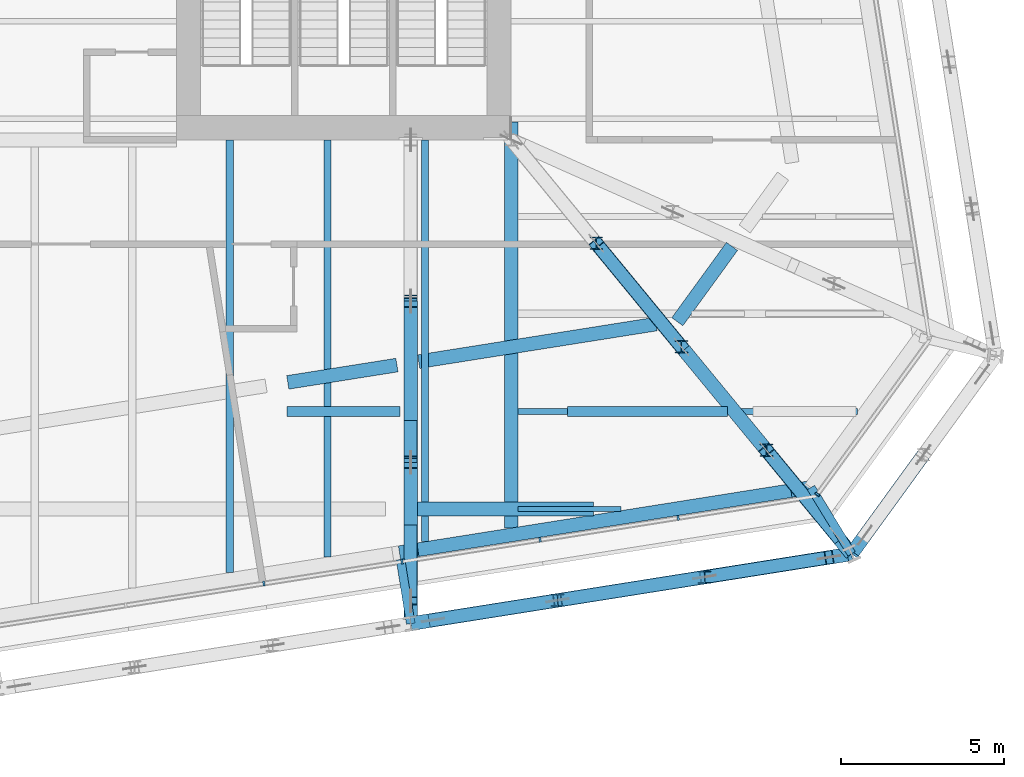
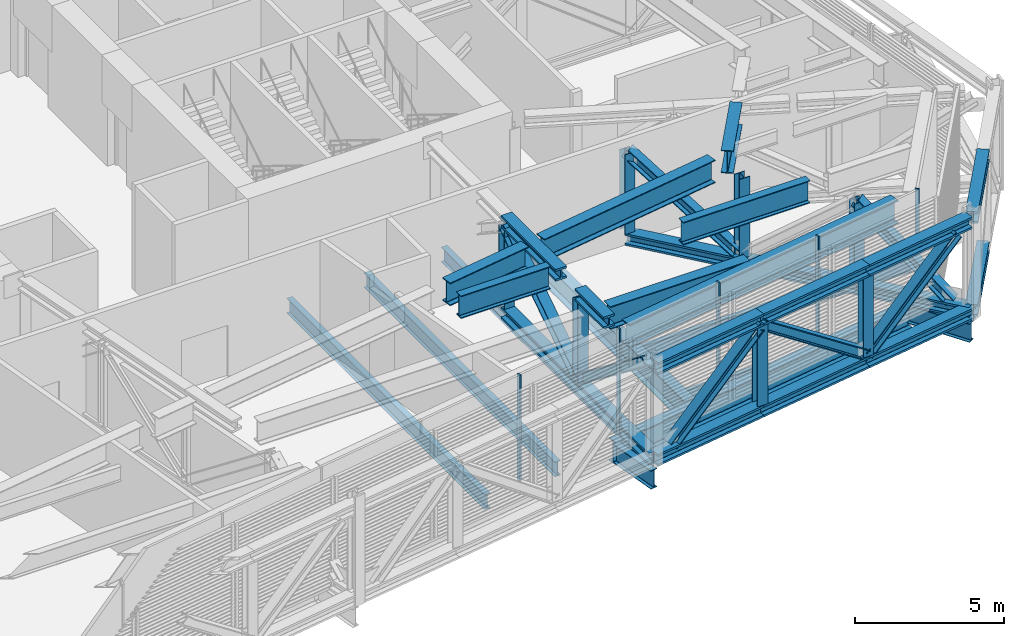
# One storey, part 8 of 31: 31 beams, 19 members, 2 elements without a shape of their own.
"""IFC4 building model written with IfcOpenShell, lengths in metres."""

import ifcopenshell
import ifcopenshell.guid

model = None  # the IFC model being written
_history = None  # IfcOwnerHistory: only IFC2X3 demands one
_inside = {}  # id of a spatial element -> (the spatial element, [elements in it])
_under = {}  # id of a project, library or spatial element -> (it, [spatial elements below it])
_declared = {}  # id of a project -> (the project, [libraries it declares])
_typed = {}  # id of a type object -> (the type object, [elements of that type])
_made_of = {}  # id of a material, layer set ... -> (it, [elements and type objects made of it])


def new_model(schema):
    """Start an empty IFC model of exactly this schema.

    Asked for "IFC4X3", IfcOpenShell would pick the latest addendum, in which some entities
    have other attributes; the version numbers below select the first issue.
    IFC2X3 requires an IfcOwnerHistory on every rooted entity: one is made here for all.
    """
    global model, _history
    if schema == "IFC4X3":
        model = ifcopenshell.file(schema_version=(4, 3, 0, 0))
    else:
        model = ifcopenshell.file(schema=schema)
    _inside.clear()
    _under.clear()
    _declared.clear()
    _typed.clear()
    _made_of.clear()
    _history = None
    if model.schema == "IFC2X3":
        org = make("IfcOrganization", Name="unknown")
        user = make(
            "IfcPersonAndOrganization",
            ThePerson=make("IfcPerson", FamilyName="unknown"),
            TheOrganization=org,
        )
        app = make(
            "IfcApplication",
            ApplicationDeveloper=org,
            Version="unknown",
            ApplicationFullName="unknown",
            ApplicationIdentifier="unknown",
        )
        _history = make(
            "IfcOwnerHistory",
            OwningUser=user,
            OwningApplication=app,
            ChangeAction="ADDED",
            CreationDate=0,
        )
    return model


def make(cls, **values):
    """One entity of the class cls with the attributes given. An attribute that is None is left unset."""
    return model.create_entity(
        cls, **{name: value for name, value in values.items() if value is not None}
    )


def rooted(cls, **values):
    """An entity with a GlobalId (a new one), such as an element, a storey or a relation."""
    return make(cls, GlobalId=ifcopenshell.guid.new(), OwnerHistory=_history, **values)


def si_unit(unit_type, name, prefix=None):
    """IfcSIUnit, for example si_unit("LENGTHUNIT", "METRE", prefix="MILLI")."""
    return make("IfcSIUnit", UnitType=unit_type, Prefix=prefix, Name=name)


def assignment(units):
    """IfcUnitAssignment: the units of a project."""
    return None if units is None else make("IfcUnitAssignment", Units=units)


def point(xyz):
    """IfcCartesianPoint."""
    return None if xyz is None else make("IfcCartesianPoint", Coordinates=xyz)


def direction(xyz):
    """IfcDirection."""
    return None if xyz is None else make("IfcDirection", DirectionRatios=xyz)


def frame(location, z_axis=None, x_axis=None):
    """IfcAxis2Placement3D, a coordinate frame: its origin and axes. An axis left out is left unset."""
    return make(
        "IfcAxis2Placement3D",
        Location=point(location),
        Axis=direction(z_axis),
        RefDirection=direction(x_axis),
    )


def frame_2d(location, x_axis=None):
    """IfcAxis2Placement2D, a coordinate frame in the plane: its origin and x axis."""
    return make(
        "IfcAxis2Placement2D", Location=point(location), RefDirection=direction(x_axis)
    )


def origin():
    """The frame at (0, 0, 0) with its axes left unset."""
    return frame((0.0, 0.0, 0.0))


def origin_2d():
    """The frame at (0, 0) in the plane with its x axis left unset."""
    return frame_2d((0.0, 0.0))


def place(relative_to, where):
    """IfcLocalPlacement: puts the frame where relative to a parent placement (None: the world)."""
    return make(
        "IfcLocalPlacement", PlacementRelTo=relative_to, RelativePlacement=where
    )


def context(
    kind, dimensions, precision=None, world=None, true_north=None, identifier=None
):
    """IfcGeometricRepresentationContext, for example the 3D "Model" context."""
    return make(
        "IfcGeometricRepresentationContext",
        ContextIdentifier=identifier,
        ContextType=kind,
        CoordinateSpaceDimension=dimensions,
        Precision=precision,
        WorldCoordinateSystem=world,
        TrueNorth=true_north,
    )


def subcontext(parent, identifier, kind, view, scale=None):
    """IfcGeometricRepresentationSubContext, for example "Body" below "Model"."""
    return make(
        "IfcGeometricRepresentationSubContext",
        ContextIdentifier=identifier,
        ContextType=kind,
        ParentContext=parent,
        TargetScale=scale,
        TargetView=view,
    )


def project(units=None, contexts=None):
    """IfcProject with its units and contexts."""
    return rooted(
        "IfcProject",
        Name="project",
        RepresentationContexts=contexts,
        UnitsInContext=assignment(units),
    )


def spatial(cls, under=None, at=None, **own):
    """A site, building, storey or space (cls), placed at a placement, below another one or the project."""
    s = rooted(cls, ObjectPlacement=at, **own)
    if under is not None:
        _under.setdefault(under.id(), (under, []))[1].append(s)
    return s


def profile(cls, at=None, kind="AREA", **sizes):
    """A parametric profile (cls). Its sizes go by their IFC names, for example OverallWidth=200.0."""
    return make(cls, ProfileType=kind, Position=at, **sizes)


def rectangle(**sizes):
    """IfcRectangleProfileDef."""
    return profile("IfcRectangleProfileDef", **sizes)


def i_section(**sizes):
    """IfcIShapeProfileDef."""
    return profile("IfcIShapeProfileDef", **sizes)


def extrude(swept, where, along, depth):
    """IfcExtrudedAreaSolid: the profile swept, set in the frame where, extruded along a direction by depth."""
    return make(
        "IfcExtrudedAreaSolid",
        SweptArea=swept,
        Position=where,
        ExtrudedDirection=direction(along),
        Depth=depth,
    )


def shape(context_of_items, identifier, shape_type, items):
    """IfcShapeRepresentation: the items that make up one representation, for example the "Body"."""
    return make(
        "IfcShapeRepresentation",
        ContextOfItems=context_of_items,
        RepresentationIdentifier=identifier,
        RepresentationType=shape_type,
        Items=items,
    )


def material(Name=None, Category=None):
    """IfcMaterial."""
    return make("IfcMaterial", Name=Name, Category=Category)


def layer(
    of_material, thickness, ventilated=None, Name=None, Category=None, Priority=None
):
    """IfcMaterialLayer: one layer of a wall or slab, of a material (None: an air gap)."""
    return make(
        "IfcMaterialLayer",
        Material=of_material,
        LayerThickness=thickness,
        IsVentilated=ventilated,
        Name=Name,
        Category=Category,
        Priority=Priority,
    )


def layer_set(layers, Name=None):
    """IfcMaterialLayerSet."""
    return make("IfcMaterialLayerSet", MaterialLayers=layers, LayerSetName=Name)


def material_profile(
    of_material, cross_section, Name=None, Category=None, Priority=None
):
    """IfcMaterialProfile: a cross section and its material."""
    return make(
        "IfcMaterialProfile",
        Name=Name,
        Material=of_material,
        Profile=cross_section,
        Priority=Priority,
        Category=Category,
    )


def profile_set(profiles, Name=None, composite=None):
    """IfcMaterialProfileSet."""
    return make(
        "IfcMaterialProfileSet",
        Name=Name,
        MaterialProfiles=profiles,
        CompositeProfile=composite,
    )


def made_of(thing, what):
    """Note that an element or type object is made of a material, layer set ...; save() writes the relation."""
    if what is not None:
        _made_of.setdefault(what.id(), (what, []))[1].append(thing)
    return thing


def type_object(cls, material=None, **own):
    """A type object (cls), such as IfcWallType, which elements share."""
    return made_of(rooted(cls, **own), material)


def element(
    cls,
    number,
    at=None,
    inside=None,
    cuts=None,
    type_object=None,
    material=None,
    context=None,
    identifier="Body",
    shape_type=None,
    held_by="IfcProductDefinitionShape",
    body=None,
    shapes=None,
    **own,
):
    """One element of the class cls, such as IfcWall. Its Tag is "e" and its number.

    at: its placement. inside: the storey or other place that contains it. cuts: it is an
    opening in that element (IfcRelVoidsElement). A single representation is given by context,
    identifier, shape_type and body (its items); several are given by shapes. held_by: the class
    of the entity that holds the representations. save() writes the other relations.
    """
    e = rooted(cls, Tag="e%d" % number, ObjectPlacement=at, **own)
    if body is not None:
        shapes = [shape(context, identifier, shape_type, body)]
    if shapes is not None:
        e.Representation = make(held_by, Representations=shapes)
    if inside is not None:
        _inside.setdefault(inside.id(), (inside, []))[1].append(e)
    if cuts is not None:
        rooted(
            "IfcRelVoidsElement", RelatingBuildingElement=cuts, RelatedOpeningElement=e
        )
    if type_object is not None:
        _typed.setdefault(type_object.id(), (type_object, []))[1].append(e)
    return made_of(e, material)


def aggregate(whole, parts):
    """IfcRelAggregates: a whole, such as a stair, and the parts it consists of."""
    return rooted("IfcRelAggregates", RelatingObject=whole, RelatedObjects=parts)


def save(model, path):
    """Write the relations noted so far, then the file.

    IfcRelAggregates (storeys below a building ...), IfcRelContainedInSpatialStructure (elements
    in a storey), IfcRelDefinesByType, IfcRelAssociatesMaterial and IfcRelDeclares: one each for
    every whole, place, type object, material and project.
    """
    for whole, parts in _under.values():
        aggregate(whole, parts)
    for where, things in _inside.values():
        rooted(
            "IfcRelContainedInSpatialStructure",
            RelatedElements=things,
            RelatingStructure=where,
        )
    for kind, things in _typed.values():
        rooted("IfcRelDefinesByType", RelatedObjects=things, RelatingType=kind)
    for what, things in _made_of.values():
        rooted("IfcRelAssociatesMaterial", RelatedObjects=things, RelatingMaterial=what)
    for by, libraries in _declared.values():
        rooted("IfcRelDeclares", RelatingContext=by, RelatedDefinitions=libraries)
    model.write(path)


model = new_model("IFC4")

# Units and contexts
model_context = context("Model", 3, precision=1e-05, world=origin(), true_north=direction((0.0, 1.0)))
body_context = subcontext(model_context, "Body", "Model", "MODEL_VIEW")
ifc_project = project(units=[si_unit("LENGTHUNIT", "METRE"), si_unit("AREAUNIT", "SQUARE_METRE"), si_unit("VOLUMEUNIT", "CUBIC_METRE"), si_unit("PLANEANGLEUNIT", "RADIAN"), si_unit("MASSUNIT", "GRAM", prefix="KILO")], contexts=[model_context])

# Site, building, storey
site_placement = place(None, origin())
site = spatial("IfcSite", under=ifc_project, at=site_placement, CompositionType="ELEMENT")
building_placement = place(site_placement, origin())
building = spatial("IfcBuilding", under=site, at=building_placement, Name="Millrace Tower", CompositionType="ELEMENT")
storey_placement = place(building_placement, frame((0.0, 0.0, 195.60009765625)))
storey = spatial("IfcBuildingStorey", under=building, at=storey_placement, Name="L44", CompositionType="ELEMENT", Elevation=195.60009765625)

# Beams
ifc_material_1 = material(Name="Steel ASTM A992 Grade 50", Category="steel")
ifc_material_profile_1 = material_profile(ifc_material_1, i_section(OverallWidth=0.4267578125, OverallDepth=0.482666015625, WebThickness=0.05126953125, FlangeThickness=0.08154296875, FilletRadius=0.01513671875, at=origin_2d()))
ifc_profile_set_1 = profile_set([ifc_material_profile_1], Name="Steel ASTM A992 Grade 50")
beam_type_1 = type_object("IfcBeamType", Name="Belt truss chord W14x455", PredefinedType="BEAM", material=ifc_profile_set_1)
beam_1_placement = place(storey_placement, frame((11.5595703125, -24.527099609375, 0.2412109375), z_axis=(0.987691056671, 0.156417315446, 0.0), x_axis=(-0.156417315446, 0.987691056671, 0.0)))
element("IfcBeam", 1, at=beam_1_placement, inside=storey, type_object=beam_type_1, Name="BLT-L44-R04-B01", PredefinedType="BEAM", context=body_context, shape_type="SweptSolid", body=[
    extrude(i_section(OverallWidth=0.4267578125, OverallDepth=0.482666015625, WebThickness=0.05126953125, FlangeThickness=0.08154296875, FilletRadius=0.01513671875, at=origin_2d()), origin(), (0.0, 0.0, 1.0), 4.576416015625),
])
for number, where, z_axis, x_axis, name in (
    (2, (16.07958984375, -23.811279296875, 0.2412109375), (0.987681507278, 0.156477602811, 0.0), (-0.156477602811, 0.987681507278, 0.0), "BLT-L44-R04-B02"),
    (3, (16.07958984375, -23.811279296875, 3.99853515625), (0.987681507278, 0.156477602811, 0.0), (-0.156477602811, 0.987681507278, 0.0), "BLT-L44-R04-T02"),
    (4, (20.599365234375, -23.09521484375, 0.2412109375), (0.987689751328, 0.156425557764, 0.0), (-0.156425557764, 0.987689751328, 0.0), "BLT-L44-R04-B03"),
):
    element("IfcBeam", number, at=place(storey_placement, frame(where, z_axis=z_axis, x_axis=x_axis)), inside=storey, type_object=beam_type_1, Name=name, PredefinedType="BEAM", context=body_context, shape_type="SweptSolid", body=[
        extrude(i_section(OverallWidth=0.4267578125, OverallDepth=0.482666015625, WebThickness=0.05126953125, FlangeThickness=0.08154296875, FilletRadius=0.01513671875, at=origin_2d()), origin(), (0.0, 0.0, 1.0), 4.576171875),
    ])
beam_2_placement = place(storey_placement, frame((25.119140625, -22.37939453125, 0.2412109375), z_axis=(0.587774262707, 0.809024978662, 0.0), x_axis=(-0.809024978662, 0.587774262707, 0.0)))
element("IfcBeam", 5, at=beam_2_placement, inside=storey, type_object=beam_type_1, Name="BLT-L44-R05-B01", PredefinedType="BEAM", context=body_context, shape_type="SweptSolid", body=[
    extrude(i_section(OverallWidth=0.4267578125, OverallDepth=0.482666015625, WebThickness=0.05126953125, FlangeThickness=0.08154296875, FilletRadius=0.01513671875, at=origin_2d()), origin(), (0.0, 0.0, 1.0), 3.7626953125),
])
beam_3_placement = place(storey_placement, frame((11.569580078125, -24.525390625, 3.99853515625), z_axis=(0.987695243981, 0.156390872552, 0.0), x_axis=(-0.156390872552, 0.987695243981, 0.0)))
element("IfcBeam", 6, at=beam_3_placement, inside=storey, type_object=beam_type_1, Name="BLT-L44-R04-T01", PredefinedType="BEAM", context=body_context, shape_type="SweptSolid", body=[
    extrude(i_section(OverallWidth=0.4267578125, OverallDepth=0.482666015625, WebThickness=0.05126953125, FlangeThickness=0.08154296875, FilletRadius=0.01513671875, at=origin_2d()), origin(), (0.0, 0.0, 1.0), 4.566162109375),
])
beam_4_placement = place(storey_placement, frame((20.599365234375, -23.09521484375, 3.99853515625), z_axis=(0.987693877415, 0.156399502932, 0.0), x_axis=(-0.156399502932, 0.987693877415, 0.0)))
element("IfcBeam", 7, at=beam_4_placement, inside=storey, type_object=beam_type_1, Name="BLT-L44-R04-T03", PredefinedType="BEAM", context=body_context, shape_type="SweptSolid", body=[
    extrude(i_section(OverallWidth=0.4267578125, OverallDepth=0.482666015625, WebThickness=0.05126953125, FlangeThickness=0.08154296875, FilletRadius=0.01513671875, at=origin_2d()), origin(), (0.0, 0.0, 1.0), 4.447265625),
])
beam_5_placement = place(storey_placement, frame((25.16064453125, -22.322265625, 3.99853515625), z_axis=(0.587774526501, 0.80902478701, 0.0), x_axis=(-0.80902478701, 0.587774526501, 0.0)))
element("IfcBeam", 8, at=beam_5_placement, inside=storey, type_object=beam_type_1, Name="BLT-L44-R05-T01", PredefinedType="BEAM", context=body_context, shape_type="SweptSolid", body=[
    extrude(i_section(OverallWidth=0.4267578125, OverallDepth=0.482666015625, WebThickness=0.05126953125, FlangeThickness=0.08154296875, FilletRadius=0.01513671875, at=origin_2d()), origin(), (0.0, 0.0, 1.0), 3.692138671875),
])

# Members
ifc_material_2 = material(Name="Steel ASTM A992 Grade 50", Category="steel")
ifc_material_profile_2 = material_profile(ifc_material_2, i_section(OverallWidth=0.398681640625, OverallDepth=0.393798828125, WebThickness=0.022705078125, FlangeThickness=0.03662109375, FilletRadius=0.01513671875, at=origin_2d()))
ifc_profile_set_2 = profile_set([ifc_material_profile_2], Name="Steel ASTM A992 Grade 50")
member_type_1 = type_object("IfcMemberType", Name="Belt truss diagonal W14x193", PredefinedType="BRACE", material=ifc_profile_set_2)
member_1_placement = place(storey_placement, frame((12.2509765625, -24.41748046875, 0.482421875), z_axis=(0.754478039711, 0.119459824806, 0.645362098245), x_axis=(-0.156386245998, 0.987695976535, 0.0)))
element("IfcMember", 9, at=member_1_placement, inside=storey, type_object=member_type_1, Name="BLT-L44-R04-D01", PredefinedType="BRACE", context=body_context, shape_type="SweptSolid", body=[
    extrude(i_section(OverallWidth=0.398681640625, OverallDepth=0.393798828125, WebThickness=0.022705078125, FlangeThickness=0.03662109375, FilletRadius=0.01513671875, at=origin_2d()), origin(), (0.0, 0.0, 1.0), 5.074462890625),
])
member_2_placement = place(storey_placement, frame((20.599365234375, -23.09521484375, 0.482421875), z_axis=(-0.803192309459, -0.127249124596, 0.581970595748), x_axis=(0.156477602811, -0.987681507278, 0.0)))
element("IfcMember", 10, at=member_2_placement, inside=storey, type_object=member_type_1, Name="BLT-L44-R04-D02", PredefinedType="BRACE", context=body_context, shape_type="SweptSolid", body=[
    extrude(i_section(OverallWidth=0.398681640625, OverallDepth=0.393798828125, WebThickness=0.022705078125, FlangeThickness=0.03662109375, FilletRadius=0.01513671875, at=origin_2d()), origin(), (0.0, 0.0, 1.0), 5.627197265625),
])
member_3_placement = place(storey_placement, frame((20.599365234375, -23.09521484375, 0.482421875), z_axis=(0.754457314112, 0.119464161147, 0.645385524616), x_axis=(-0.156395975046, 0.987694436043, 0.0)))
element("IfcMember", 11, at=member_3_placement, inside=storey, type_object=member_type_1, Name="BLT-L44-R04-D03", PredefinedType="BRACE", context=body_context, shape_type="SweptSolid", body=[
    extrude(i_section(OverallWidth=0.398681640625, OverallDepth=0.393798828125, WebThickness=0.022705078125, FlangeThickness=0.03662109375, FilletRadius=0.01513671875, at=origin_2d()), origin(), (0.0, 0.0, 1.0), 5.07421875),
])
ifc_material_3 = material(Name="Steel ASTM A992 Grade 50", Category="steel")
ifc_material_profile_3 = material_profile(ifc_material_3, i_section(OverallWidth=0.396240234375, OverallDepth=0.381103515625, WebThickness=0.018798828125, FlangeThickness=0.0302734375, FilletRadius=0.01513671875, at=origin_2d()))
ifc_profile_set_3 = profile_set([ifc_material_profile_3], Name="Steel ASTM A992 Grade 50")
member_type_2 = type_object("IfcMemberType", Name="Belt truss post W14x159", PredefinedType="POST", material=ifc_profile_set_3)
for number, where, z_axis, x_axis, name in (
    (12, (16.07958984375, -23.811279296875, 0.482421875), (0.0, 0.0, 1.0), (1.0, 0.0, 0.0), "BLT-L44-R04-V01"),
    (13, (20.599365234375, -23.09521484375, 0.482421875), (0.0, 0.0, 1.0), (1.0, 0.0, 0.0), "BLT-L44-R04-V02"),
):
    element("IfcMember", number, at=place(storey_placement, frame(where, z_axis=z_axis, x_axis=x_axis)), inside=storey, type_object=member_type_2, Name=name, PredefinedType="POST", context=body_context, shape_type="SweptSolid", body=[
        extrude(i_section(OverallWidth=0.396240234375, OverallDepth=0.381103515625, WebThickness=0.018798828125, FlangeThickness=0.0302734375, FilletRadius=0.01513671875, at=origin_2d()), origin(), (0.0, 0.0, 1.0), 3.27490234375),
    ])

# Curtain wall, members
ifc_material_4 = material(Name="Aluminium and glass", Category="aluminium")
ifc_layer = layer(ifc_material_4, 0.14990234375)
ifc_layer_set = layer_set([ifc_layer], Name="Aluminium and glass")
curtain_wall_type = type_object("IfcCurtainWallType", Name="CW-5 truss and plant storey louvred infill", PredefinedType="NOTDEFINED", material=ifc_layer_set)
placement = place(storey_placement, origin())
curtain_wall_1 = element("IfcCurtainWall", 14, at=placement, inside=storey, type_object=curtain_wall_type, Name="Curtain wall C-F02 L44", PredefinedType="NOTDEFINED")
ifc_material_5 = material(Name="Aluminium", Category="aluminium")
ifc_material_profile_4 = material_profile(ifc_material_5, rectangle(XDim=0.06494140625, YDim=0.14990234375, at=origin_2d()))
ifc_profile_set_4 = profile_set([ifc_material_profile_4], Name="Aluminium")
member_type_3 = type_object("IfcMemberType", Name="CW-5 truss and plant storey louvred infill mullion", PredefinedType="MULLION", material=ifc_profile_set_4)
member_4_placement = place(storey_placement, frame((7.04345703125, -23.293212890625, 0.139892578125), z_axis=(0.0, 0.0, 1.0), x_axis=(0.98768833929, 0.15643447328, 0.0)))
member_4 = element("IfcMember", 15, at=member_4_placement, type_object=member_type_3, Name="CW5 mullion C-F02.6", PredefinedType="MULLION", context=body_context, shape_type="SweptSolid", body=[
    extrude(rectangle(XDim=0.06494140625, YDim=0.14990234375, at=origin_2d()), origin(), (0.0, 0.0, 1.0), 4.360107421875),
])
member_5_placement = place(storey_placement, frame((11.29052734375, -22.62060546875, 0.139892578125), z_axis=(0.0, 0.0, 1.0), x_axis=(0.98768833929, 0.15643447328, 0.0)))
member_5 = element("IfcMember", 16, at=member_5_placement, type_object=member_type_3, Name="CW5 mullion C-F02.7", PredefinedType="MULLION", context=body_context, shape_type="SweptSolid", body=[
    extrude(rectangle(XDim=0.06494140625, YDim=0.14990234375, at=origin_2d()), origin(), (0.0, 0.0, 1.0), 4.360107421875),
])
member_6_placement = place(storey_placement, frame((15.53759765625, -21.947998046875, 0.139892578125), z_axis=(0.0, 0.0, 1.0), x_axis=(0.98768833929, 0.15643447328, 0.0)))
member_6 = element("IfcMember", 17, at=member_6_placement, type_object=member_type_3, Name="CW5 mullion C-F02.8", PredefinedType="MULLION", context=body_context, shape_type="SweptSolid", body=[
    extrude(rectangle(XDim=0.06494140625, YDim=0.14990234375, at=origin_2d()), origin(), (0.0, 0.0, 1.0), 4.360107421875),
])
member_7_placement = place(storey_placement, frame((19.78466796875, -21.275390625, 0.139892578125), z_axis=(0.0, 0.0, 1.0), x_axis=(0.98768833929, 0.15643447328, 0.0)))
member_7 = element("IfcMember", 18, at=member_7_placement, type_object=member_type_3, Name="CW5 mullion C-F02.9", PredefinedType="MULLION", context=body_context, shape_type="SweptSolid", body=[
    extrude(rectangle(XDim=0.06494140625, YDim=0.14990234375, at=origin_2d()), origin(), (0.0, 0.0, 1.0), 4.360107421875),
])
aggregate(curtain_wall_1, [member_4, member_5, member_6, member_7])

# Curtain wall, member
curtain_wall_2 = element("IfcCurtainWall", 19, at=placement, inside=storey, type_object=curtain_wall_type, Name="Curtain wall C-F03 L44", PredefinedType="NOTDEFINED")
member_8_placement = place(storey_placement, frame((24.06787109375, -20.551513671875, 0.139892578125), z_axis=(0.0, 0.0, 1.0), x_axis=(0.587785269844, 0.809016981623, 0.0)))
member_8 = element("IfcMember", 20, at=member_8_placement, type_object=member_type_3, Name="CW5 mullion C-F03.1", PredefinedType="MULLION", context=body_context, shape_type="SweptSolid", body=[
    extrude(rectangle(XDim=0.06494140625, YDim=0.14990234375, at=origin_2d()), origin(), (0.0, 0.0, 1.0), 4.360107421875),
])
aggregate(curtain_wall_2, [member_8])

# Beams
ifc_material_6 = material(Name="Steel ASTM A992 Grade 50", Category="steel")
ifc_material_profile_5 = material_profile(ifc_material_6, i_section(OverallWidth=0.15234375, OverallDepth=0.449462890625, WebThickness=0.007568359375, FlangeThickness=0.0107421875, FilletRadius=0.01025390625, at=origin_2d()))
ifc_profile_set_5 = profile_set([ifc_material_profile_5], Name="Steel ASTM A992 Grade 50")
beam_type_2 = type_object("IfcBeamType", Name="Floor beam W18x35", PredefinedType="JOIST", material=ifc_profile_set_5)
beam_6_placement = place(storey_placement, frame((14.862060546875, -21.0, -0.474853515625), z_axis=(1.0, 0.0, 0.0), x_axis=(0.0, 1.0, 0.0)))
element("IfcBeam", 21, at=beam_6_placement, inside=storey, type_object=beam_type_2, Name="BM-C-L44-S1-S003", PredefinedType="JOIST", context=body_context, shape_type="SweptSolid", body=[
    extrude(i_section(OverallWidth=0.15234375, OverallDepth=0.449462890625, WebThickness=0.007568359375, FlangeThickness=0.0107421875, FilletRadius=0.01025390625, at=origin_2d()), origin(), (0.0, 0.0, 1.0), 3.17041015625),
])
ifc_material_7 = material(Name="Steel ASTM A992 Grade 50", Category="steel")
ifc_material_profile_6 = material_profile(ifc_material_7, i_section(OverallWidth=0.1787109375, OverallDepth=0.60205078125, WebThickness=0.010986328125, FlangeThickness=0.014892578125, FilletRadius=0.0126953125, at=origin_2d()))
ifc_profile_set_6 = profile_set([ifc_material_profile_6], Name="Steel ASTM A992 Grade 50")
beam_type_3 = type_object("IfcBeamType", Name="Floor beam W24x62", PredefinedType="JOIST", material=ifc_profile_set_6)
beam_7_placement = place(storey_placement, frame((14.862060546875, -18.0, -0.551025390625), z_axis=(1.0, 0.0, 0.0), x_axis=(0.0, 1.0, 0.0)))
element("IfcBeam", 22, at=beam_7_placement, inside=storey, type_object=beam_type_3, Name="BM-C-L44-S1-S005", PredefinedType="JOIST", context=body_context, shape_type="SweptSolid", body=[
    extrude(i_section(OverallWidth=0.1787109375, OverallDepth=0.60205078125, WebThickness=0.010986328125, FlangeThickness=0.014892578125, FilletRadius=0.0126953125, at=origin_2d()), origin(), (0.0, 0.0, 1.0), 10.43359375),
])
ifc_material_8 = material(Name="Steel ASTM A992 Grade 50", Category="steel")
ifc_material_profile_7 = material_profile(ifc_material_8, i_section(OverallWidth=0.228271484375, OverallDepth=0.607177734375, WebThickness=0.01123046875, FlangeThickness=0.017333984375, FilletRadius=0.0126953125, at=origin_2d()))
ifc_profile_set_7 = profile_set([ifc_material_profile_7], Name="Steel ASTM A992 Grade 50")
beam_type_4 = type_object("IfcBeamType", Name="Floor beam W24x76", PredefinedType="JOIST", material=ifc_profile_set_7)
beam_8_placement = place(storey_placement, frame((6.0, -22.955810546875, -0.5537109375), z_axis=(0.0, 1.0, 0.0), x_axis=(-1.0, 0.0, 0.0)))
element("IfcBeam", 23, at=beam_8_placement, inside=storey, type_object=beam_type_4, Name="BM-C-L44-S1-S052", PredefinedType="JOIST", context=body_context, shape_type="SweptSolid", body=[
    extrude(i_section(OverallWidth=0.228271484375, OverallDepth=0.607177734375, WebThickness=0.01123046875, FlangeThickness=0.017333984375, FilletRadius=0.0126953125, at=origin_2d()), origin(), (0.0, 0.0, 1.0), 13.305908203125),
])
beam_9_placement = place(storey_placement, frame((9.0, -22.480712890625, -0.5537109375), z_axis=(0.0, 1.0, 0.0), x_axis=(-1.0, 0.0, 0.0)))
element("IfcBeam", 24, at=beam_9_placement, inside=storey, type_object=beam_type_4, Name="BM-C-L44-S1-S054", PredefinedType="JOIST", context=body_context, shape_type="SweptSolid", body=[
    extrude(i_section(OverallWidth=0.228271484375, OverallDepth=0.607177734375, WebThickness=0.01123046875, FlangeThickness=0.017333984375, FilletRadius=0.0126953125, at=origin_2d()), origin(), (0.0, 0.0, 1.0), 12.830810546875),
])
beam_10_placement = place(storey_placement, frame((12.0, -22.00537109375, -0.5537109375), z_axis=(0.0, 1.0, 0.0), x_axis=(-1.0, 0.0, 0.0)))
element("IfcBeam", 25, at=beam_10_placement, inside=storey, type_object=beam_type_4, Name="BM-C-L44-S1-S056", PredefinedType="JOIST", context=body_context, shape_type="SweptSolid", body=[
    extrude(i_section(OverallWidth=0.228271484375, OverallDepth=0.607177734375, WebThickness=0.01123046875, FlangeThickness=0.017333984375, FilletRadius=0.0126953125, at=origin_2d()), origin(), (0.0, 0.0, 1.0), 12.35546875),
])
ifc_material_9 = material(Name="Steel ASTM A992 Grade 50", Category="steel")
ifc_material_profile_8 = material_profile(ifc_material_9, i_section(OverallWidth=0.307373046875, OverallDepth=0.927001953125, WebThickness=0.01953125, FlangeThickness=0.031982421875, FilletRadius=0.01904296875, at=origin_2d()))
ifc_profile_set_8 = profile_set([ifc_material_profile_8], Name="Steel ASTM A992 Grade 50")
beam_type_5 = type_object("IfcBeamType", Name="Floor beam W36x194", PredefinedType="JOIST", material=ifc_profile_set_8)
beam_11_placement = place(storey_placement, frame((7.7470703125, -18.0, 3.87646484375), z_axis=(1.0, 0.0, 0.0), x_axis=(0.0, 1.0, 0.0)))
element("IfcBeam", 26, at=beam_11_placement, inside=storey, type_object=beam_type_5, Name="BM-C-L44-R1-S004-a-b", PredefinedType="JOIST", context=body_context, shape_type="SweptSolid", body=[
    extrude(i_section(OverallWidth=0.307373046875, OverallDepth=0.927001953125, WebThickness=0.01953125, FlangeThickness=0.031982421875, FilletRadius=0.01904296875, at=origin_2d()), origin(), (0.0, 0.0, 1.0), 3.4775390625),
])
beam_12_placement = place(storey_placement, frame((16.375244140625, -18.0, 3.87646484375), z_axis=(1.0, 0.0, 0.0), x_axis=(0.0, 1.0, 0.0)))
element("IfcBeam", 27, at=beam_12_placement, inside=storey, type_object=beam_type_5, Name="BM-C-L44-R1-S004-b-a", PredefinedType="JOIST", context=body_context, shape_type="SweptSolid", body=[
    extrude(i_section(OverallWidth=0.307373046875, OverallDepth=0.927001953125, WebThickness=0.01953125, FlangeThickness=0.031982421875, FilletRadius=0.01904296875, at=origin_2d()), origin(), (0.0, 0.0, 1.0), 4.924072265625),
])
ifc_material_10 = material(Name="Steel ASTM A992 Grade 50", Category="steel")
ifc_material_profile_9 = material_profile(ifc_material_10, i_section(OverallWidth=0.419189453125, OverallDepth=0.927001953125, WebThickness=0.019287109375, FlangeThickness=0.031982421875, FilletRadius=0.024169921875, at=origin_2d()))
ifc_profile_set_9 = profile_set([ifc_material_profile_9], Name="Steel ASTM A992 Grade 50")
beam_type_6 = type_object("IfcBeamType", Name="Floor beam W36x231", PredefinedType="JOIST", material=ifc_profile_set_9)
beam_13_placement = place(storey_placement, frame((11.774658203125, -21.0, 3.87646484375), z_axis=(1.0, 0.0, 0.0), x_axis=(0.0, 1.0, 0.0)))
element("IfcBeam", 28, at=beam_13_placement, inside=storey, type_object=beam_type_6, Name="BM-C-L44-R1-S003-b-b", PredefinedType="JOIST", context=body_context, shape_type="SweptSolid", body=[
    extrude(i_section(OverallWidth=0.419189453125, OverallDepth=0.927001953125, WebThickness=0.019287109375, FlangeThickness=0.031982421875, FilletRadius=0.024169921875, at=origin_2d()), origin(), (0.0, 0.0, 1.0), 5.413818359375),
])
ifc_material_11 = material(Name="Steel ASTM A992 Grade 50", Category="steel")
ifc_material_profile_10 = material_profile(ifc_material_11, i_section(OverallWidth=0.424072265625, OverallDepth=0.947509765625, WebThickness=0.02392578125, FlangeThickness=0.042724609375, FilletRadius=0.024169921875, at=origin_2d()))
ifc_profile_set_10 = profile_set([ifc_material_profile_10], Name="Steel ASTM A992 Grade 50")
beam_type_7 = type_object("IfcBeamType", Name="Girder medium span W36x302", PredefinedType="BEAM", material=ifc_profile_set_10)
beam_14_placement = place(storey_placement, frame((14.64990234375, -21.577880859375, -0.723876953125), z_axis=(0.0, 1.0, 0.0), x_axis=(-1.0, 0.0, 0.0)))
element("IfcBeam", 29, at=beam_14_placement, inside=storey, type_object=beam_type_7, Name="BM-C-L44-S1-G060", PredefinedType="BEAM", context=body_context, shape_type="SweptSolid", body=[
    extrude(i_section(OverallWidth=0.424072265625, OverallDepth=0.947509765625, WebThickness=0.02392578125, FlangeThickness=0.042724609375, FilletRadius=0.024169921875, at=origin_2d()), origin(), (0.0, 0.0, 1.0), 12.48779296875),
])
ifc_material_12 = material(Name="Steel ASTM A992 Grade 50", Category="steel")
ifc_material_profile_11 = material_profile(ifc_material_12, i_section(OverallWidth=0.2666015625, OverallDepth=0.7568359375, WebThickness=0.013916015625, FlangeThickness=0.019287109375, FilletRadius=0.0166015625, at=origin_2d()))
ifc_profile_set_11 = profile_set([ifc_material_profile_11], Name="Steel ASTM A992 Grade 50")
beam_type_8 = type_object("IfcBeamType", Name="Link beam W30x108", PredefinedType="BEAM", material=ifc_profile_set_11)
beam_15_placement = place(storey_placement, frame((23.86865234375, -20.339111328125, -0.628662109375), z_axis=(0.522559665567, -0.852602718693, 0.0), x_axis=(0.852602718693, 0.522559665567, 0.0)))
element("IfcBeam", 30, at=beam_15_placement, inside=storey, type_object=beam_type_8, Name="LNK-C-L44-S1-13", PredefinedType="BEAM", context=body_context, shape_type="SweptSolid", body=[
    extrude(i_section(OverallWidth=0.2666015625, OverallDepth=0.7568359375, WebThickness=0.013916015625, FlangeThickness=0.019287109375, FilletRadius=0.0166015625, at=origin_2d()), origin(), (0.0, 0.0, 1.0), 2.39306640625),
])
beam_16_placement = place(storey_placement, frame((11.246826171875, -22.5517578125, -0.628662109375), z_axis=(0.15637629034, -0.987697552806, 0.0), x_axis=(0.987697552806, 0.15637629034, 0.0)))
element("IfcBeam", 31, at=beam_16_placement, inside=storey, type_object=beam_type_8, Name="LNK-C-L44-S1-14", PredefinedType="BEAM", context=body_context, shape_type="SweptSolid", body=[
    extrude(i_section(OverallWidth=0.2666015625, OverallDepth=0.7568359375, WebThickness=0.013916015625, FlangeThickness=0.019287109375, FilletRadius=0.0166015625, at=origin_2d()), origin(), (0.0, 0.0, 1.0), 2.0),
])
ifc_material_13 = material(Name="Steel ASTM A992 Grade 50", Category="steel")
ifc_material_profile_12 = material_profile(ifc_material_13, i_section(OverallWidth=0.4267578125, OverallDepth=0.482666015625, WebThickness=0.05126953125, FlangeThickness=0.08154296875, FilletRadius=0.01513671875, at=origin_2d()))
ifc_profile_set_12 = profile_set([ifc_material_profile_12], Name="Steel ASTM A992 Grade 50")
beam_type_9 = type_object("IfcBeamType", Name="Outrigger truss chord W14x455", PredefinedType="BEAM", material=ifc_profile_set_12)
for number, where, z_axis, x_axis, name in (
    (32, (11.5595703125, -14.609130859375, 0.2412109375), (0.0, -1.0, 0.0), (1.0, 0.0, 0.0), "BLT-L44-O04-B02"),
    (33, (11.5595703125, -19.568115234375, 0.2412109375), (0.0, -1.0, 0.0), (1.0, 0.0, 0.0), "BLT-L44-O04-B03"),
):
    element("IfcBeam", number, at=place(storey_placement, frame(where, z_axis=z_axis, x_axis=x_axis)), inside=storey, type_object=beam_type_9, Name=name, PredefinedType="BEAM", context=body_context, shape_type="SweptSolid", body=[
        extrude(i_section(OverallWidth=0.4267578125, OverallDepth=0.482666015625, WebThickness=0.05126953125, FlangeThickness=0.08154296875, FilletRadius=0.01513671875, at=origin_2d()), origin(), (0.0, 0.0, 1.0), 4.958984375),
    ])
for number, where, z_axis, x_axis, name in (
    (34, (17.267333984375, -12.832275390625, 0.2412109375), (0.635187885229, -0.772357657086, 0.0), (0.772357657086, 0.635187885229, 0.0), "BLT-L44-O05-B02"),
    (35, (19.884521484375, -16.0146484375, 0.2412109375), (0.635187885229, -0.772357657086, 0.0), (0.772357657086, 0.635187885229, 0.0), "BLT-L44-O05-B03"),
):
    element("IfcBeam", number, at=place(storey_placement, frame(where, z_axis=z_axis, x_axis=x_axis)), inside=storey, type_object=beam_type_9, Name=name, PredefinedType="BEAM", context=body_context, shape_type="SweptSolid", body=[
        extrude(i_section(OverallWidth=0.4267578125, OverallDepth=0.482666015625, WebThickness=0.05126953125, FlangeThickness=0.08154296875, FilletRadius=0.01513671875, at=origin_2d()), origin(), (0.0, 0.0, 1.0), 4.120361328125),
    ])
beam_17_placement = place(storey_placement, frame((22.501708984375, -19.197021484375, 0.2412109375), z_axis=(0.635223229564, -0.772328588505, 0.0), x_axis=(0.772328588505, 0.635223229564, 0.0)))
element("IfcBeam", 36, at=beam_17_placement, inside=storey, type_object=beam_type_9, Name="BLT-L44-O05-B04", PredefinedType="BEAM", context=body_context, shape_type="SweptSolid", body=[
    extrude(i_section(OverallWidth=0.4267578125, OverallDepth=0.482666015625, WebThickness=0.05126953125, FlangeThickness=0.08154296875, FilletRadius=0.01513671875, at=origin_2d()), origin(), (0.0, 0.0, 1.0), 4.12060546875),
])
beam_18_placement = place(storey_placement, frame((11.5595703125, -14.609130859375, 3.99853515625), z_axis=(0.0, -1.0, 0.0), x_axis=(1.0, 0.0, 0.0)))
element("IfcBeam", 37, at=beam_18_placement, inside=storey, type_object=beam_type_9, Name="BLT-L44-O04-T02", PredefinedType="BEAM", context=body_context, shape_type="SweptSolid", body=[
    extrude(i_section(OverallWidth=0.4267578125, OverallDepth=0.482666015625, WebThickness=0.05126953125, FlangeThickness=0.08154296875, FilletRadius=0.01513671875, at=origin_2d()), origin(), (0.0, 0.0, 1.0), 3.6669921875),
])
beam_19_placement = place(storey_placement, frame((11.5595703125, -19.568115234375, 3.99853515625), z_axis=(0.0, -1.0, 0.0), x_axis=(1.0, 0.0, 0.0)))
element("IfcBeam", 38, at=beam_19_placement, inside=storey, type_object=beam_type_9, Name="BLT-L44-O04-T03", PredefinedType="BEAM", context=body_context, shape_type="SweptSolid", body=[
    extrude(i_section(OverallWidth=0.4267578125, OverallDepth=0.482666015625, WebThickness=0.05126953125, FlangeThickness=0.08154296875, FilletRadius=0.01513671875, at=origin_2d()), origin(), (0.0, 0.0, 1.0), 1.930908203125),
])

# Members
ifc_material_14 = material(Name="Steel ASTM A992 Grade 50", Category="steel")
ifc_material_profile_13 = material_profile(ifc_material_14, i_section(OverallWidth=0.398681640625, OverallDepth=0.393798828125, WebThickness=0.022705078125, FlangeThickness=0.03662109375, FilletRadius=0.01513671875, at=origin_2d()))
ifc_profile_set_13 = profile_set([ifc_material_profile_13], Name="Steel ASTM A992 Grade 50")
member_type_4 = type_object("IfcMemberType", Name="Outrigger truss diagonal W14x193", PredefinedType="BRACE", material=ifc_profile_set_13)
member_9_placement = place(storey_placement, frame((11.5595703125, -19.568115234375, 0.482421875), z_axis=(0.0, 0.834456768044, 0.551073409144), x_axis=(-1.0, 0.0, 0.0)))
element("IfcMember", 39, at=member_9_placement, inside=storey, type_object=member_type_4, Name="BLT-L44-O04-D02", PredefinedType="BRACE", context=body_context, shape_type="SweptSolid", body=[
    extrude(i_section(OverallWidth=0.398681640625, OverallDepth=0.393798828125, WebThickness=0.022705078125, FlangeThickness=0.03662109375, FilletRadius=0.01513671875, at=origin_2d()), origin(), (0.0, 0.0, 1.0), 5.94287109375),
])
member_10_placement = place(storey_placement, frame((11.5595703125, -19.568115234375, 0.482421875), z_axis=(0.0, -0.792738847465, 0.609561415872), x_axis=(1.0, 0.0, 0.0)))
element("IfcMember", 40, at=member_10_placement, inside=storey, type_object=member_type_4, Name="BLT-L44-O04-D03", PredefinedType="BRACE", context=body_context, shape_type="SweptSolid", body=[
    extrude(i_section(OverallWidth=0.398681640625, OverallDepth=0.393798828125, WebThickness=0.022705078125, FlangeThickness=0.03662109375, FilletRadius=0.01513671875, at=origin_2d()), origin(), (0.0, 0.0, 1.0), 5.37255859375),
])
member_11_placement = place(storey_placement, frame((19.884521484375, -16.0146484375, 0.482421875), z_axis=(-0.497253751044, 0.604636440752, 0.622216587361), x_axis=(-0.772357657086, -0.635187885229, 0.0)))
element("IfcMember", 41, at=member_11_placement, inside=storey, type_object=member_type_4, Name="BLT-L44-O05-D02", PredefinedType="BRACE", context=body_context, shape_type="SweptSolid", body=[
    extrude(i_section(OverallWidth=0.398681640625, OverallDepth=0.393798828125, WebThickness=0.022705078125, FlangeThickness=0.03662109375, FilletRadius=0.01513671875, at=origin_2d()), origin(), (0.0, 0.0, 1.0), 5.26318359375),
])
member_12_placement = place(storey_placement, frame((24.67431640625, -21.8388671875, 0.482421875), z_axis=(-0.458795681958, 0.557886062981, 0.691570432384), x_axis=(-0.772364789331, -0.635179212665, 0.0)))
element("IfcMember", 42, at=member_12_placement, inside=storey, type_object=member_type_4, Name="BLT-L44-O05-D04", PredefinedType="BRACE", context=body_context, shape_type="SweptSolid", body=[
    extrude(i_section(OverallWidth=0.398681640625, OverallDepth=0.393798828125, WebThickness=0.022705078125, FlangeThickness=0.03662109375, FilletRadius=0.01513671875, at=origin_2d()), origin(), (0.0, 0.0, 1.0), 4.7353515625),
])
ifc_material_15 = material(Name="Steel ASTM A992 Grade 50", Category="steel")
ifc_material_profile_14 = material_profile(ifc_material_15, i_section(OverallWidth=0.396240234375, OverallDepth=0.381103515625, WebThickness=0.018798828125, FlangeThickness=0.0302734375, FilletRadius=0.01513671875, at=origin_2d()))
ifc_profile_set_14 = profile_set([ifc_material_profile_14], Name="Steel ASTM A992 Grade 50")
member_type_5 = type_object("IfcMemberType", Name="Outrigger truss post W14x159", PredefinedType="POST", material=ifc_profile_set_14)
for number, where, z_axis, x_axis, name in (
    (43, (11.5595703125, -14.609130859375, 0.482421875), (0.0, 0.0, 1.0), (1.0, 0.0, 0.0), "BLT-L44-O04-V01"),
    (44, (11.5595703125, -19.568115234375, 0.482421875), (0.0, 0.0, 1.0), (1.0, 0.0, 0.0), "BLT-L44-O04-V02"),
    (45, (17.267333984375, -12.832275390625, 0.482421875), (0.0, 0.0, 1.0), (1.0, 0.0, 0.0), "BLT-L44-O05-V01"),
    (46, (19.884521484375, -16.0146484375, 0.482421875), (0.0, 0.0, 1.0), (1.0, 0.0, 0.0), "BLT-L44-O05-V02"),
    (47, (22.501708984375, -19.197021484375, 0.482421875), (0.0, 0.0, 1.0), (1.0, 0.0, 0.0), "BLT-L44-O05-V03"),
):
    element("IfcMember", number, at=place(storey_placement, frame(where, z_axis=z_axis, x_axis=x_axis)), inside=storey, type_object=member_type_5, Name=name, PredefinedType="POST", context=body_context, shape_type="SweptSolid", body=[
        extrude(i_section(OverallWidth=0.396240234375, OverallDepth=0.381103515625, WebThickness=0.018798828125, FlangeThickness=0.0302734375, FilletRadius=0.01513671875, at=origin_2d()), origin(), (0.0, 0.0, 1.0), 3.27490234375),
    ])

# Beams
ifc_material_16 = material(Name="Steel ASTM A992 Grade 50", Category="steel")
ifc_material_profile_15 = material_profile(ifc_material_16, i_section(OverallWidth=0.421630859375, OverallDepth=0.937255859375, WebThickness=0.021240234375, FlangeThickness=0.03662109375, FilletRadius=0.024169921875, at=origin_2d()))
ifc_profile_set_15 = profile_set([ifc_material_profile_15], Name="Steel ASTM A992 Grade 50")
beam_type_10 = type_object("IfcBeamType", Name="Ring beam medium span W36x262", PredefinedType="SPANDREL", material=ifc_profile_set_15)
beam_20_placement = place(storey_placement, frame((23.86865234375, -20.339111328125, -0.71875), z_axis=(-0.987687454631, -0.156440058697, 0.0), x_axis=(0.156440058697, -0.987687454631, 0.0)))
element("IfcBeam", 48, at=beam_20_placement, inside=storey, type_object=beam_type_10, Name="RNG-C-L44-S1-13", PredefinedType="SPANDREL", context=body_context, shape_type="SweptSolid", body=[
    extrude(i_section(OverallWidth=0.421630859375, OverallDepth=0.937255859375, WebThickness=0.021240234375, FlangeThickness=0.03662109375, FilletRadius=0.024169921875, at=origin_2d()), origin(), (0.0, 0.0, 1.0), 12.8125),
])
ifc_material_17 = material(Name="Steel ASTM A992 Grade 50", Category="steel")
ifc_material_profile_16 = material_profile(ifc_material_17, i_section(OverallWidth=0.421630859375, OverallDepth=0.937255859375, WebThickness=0.021240234375, FlangeThickness=0.03662109375, FilletRadius=0.024169921875, at=origin_2d()))
ifc_profile_set_16 = profile_set([ifc_material_profile_16], Name="Steel ASTM A992 Grade 50")
beam_type_11 = type_object("IfcBeamType", Name="Ring beam short span W36x262", PredefinedType="SPANDREL", material=ifc_profile_set_16)
beam_21_placement = place(storey_placement, frame((19.7587890625, -15.240478515625, 3.871337890625), z_axis=(0.587745680031, 0.809045743827, 0.0), x_axis=(-0.809045743827, 0.587745680031, 0.0)))
element("IfcBeam", 49, at=beam_21_placement, inside=storey, type_object=beam_type_11, Name="RNG-C-L44-R1-12-a", PredefinedType="SPANDREL", context=body_context, shape_type="SweptSolid", body=[
    extrude(i_section(OverallWidth=0.421630859375, OverallDepth=0.937255859375, WebThickness=0.021240234375, FlangeThickness=0.03662109375, FilletRadius=0.024169921875, at=origin_2d()), origin(), (0.0, 0.0, 1.0), 2.86279296875),
])
beam_22_placement = place(storey_placement, frame((23.253662109375, -20.4365234375, 3.871337890625), z_axis=(-0.987687696348, -0.1564385326, 0.0), x_axis=(0.1564385326, -0.987687696348, 0.0)))
element("IfcBeam", 50, at=beam_22_placement, inside=storey, type_object=beam_type_11, Name="RNG-C-L44-R1-05", PredefinedType="SPANDREL", context=body_context, shape_type="SweptSolid", body=[
    extrude(i_section(OverallWidth=0.421630859375, OverallDepth=0.937255859375, WebThickness=0.021240234375, FlangeThickness=0.03662109375, FilletRadius=0.024169921875, at=origin_2d()), origin(), (0.0, 0.0, 1.0), 11.61572265625),
])
beam_23_placement = place(storey_placement, frame((7.7783203125, -17.1064453125, 3.871337890625), z_axis=(0.98768772398, 0.156438358143, 0.0), x_axis=(-0.156438358143, 0.98768772398, 0.0)))
element("IfcBeam", 51, at=beam_23_placement, inside=storey, type_object=beam_type_11, Name="RNG-C-L44-R1-11-b-b-a-b", PredefinedType="SPANDREL", context=body_context, shape_type="SweptSolid", body=[
    extrude(i_section(OverallWidth=0.421630859375, OverallDepth=0.937255859375, WebThickness=0.021240234375, FlangeThickness=0.03662109375, FilletRadius=0.024169921875, at=origin_2d()), origin(), (0.0, 0.0, 1.0), 3.39892578125),
])
beam_24_placement = place(storey_placement, frame((11.80615234375, -16.468505859375, 3.871337890625), z_axis=(0.987688098258, 0.156435995087, 0.0), x_axis=(-0.156435995087, 0.987688098258, 0.0)))
element("IfcBeam", 52, at=beam_24_placement, inside=storey, type_object=beam_type_11, Name="RNG-C-L44-R1-11-b-b-b", PredefinedType="SPANDREL", context=body_context, shape_type="SweptSolid", body=[
    extrude(i_section(OverallWidth=0.421630859375, OverallDepth=0.937255859375, WebThickness=0.021240234375, FlangeThickness=0.03662109375, FilletRadius=0.024169921875, at=origin_2d()), origin(), (0.0, 0.0, 1.0), 7.38818359375),
])

save(model, "model.ifc")
